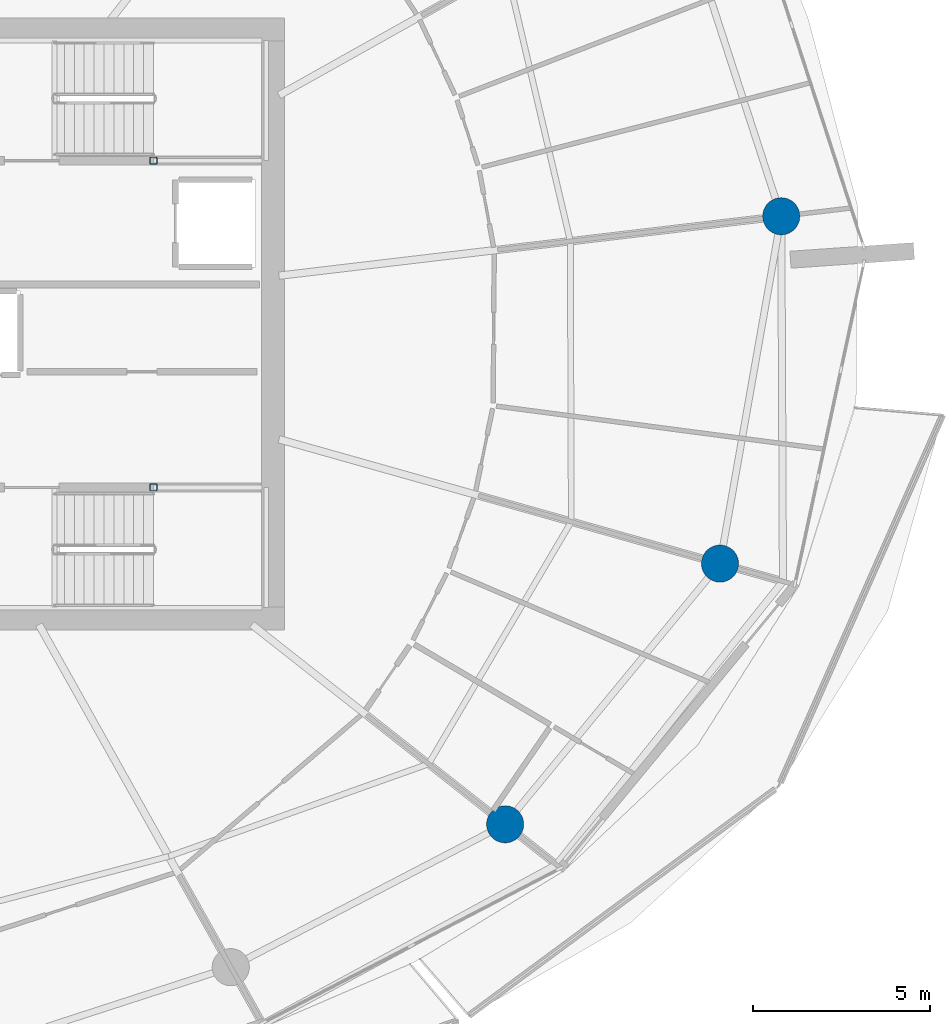
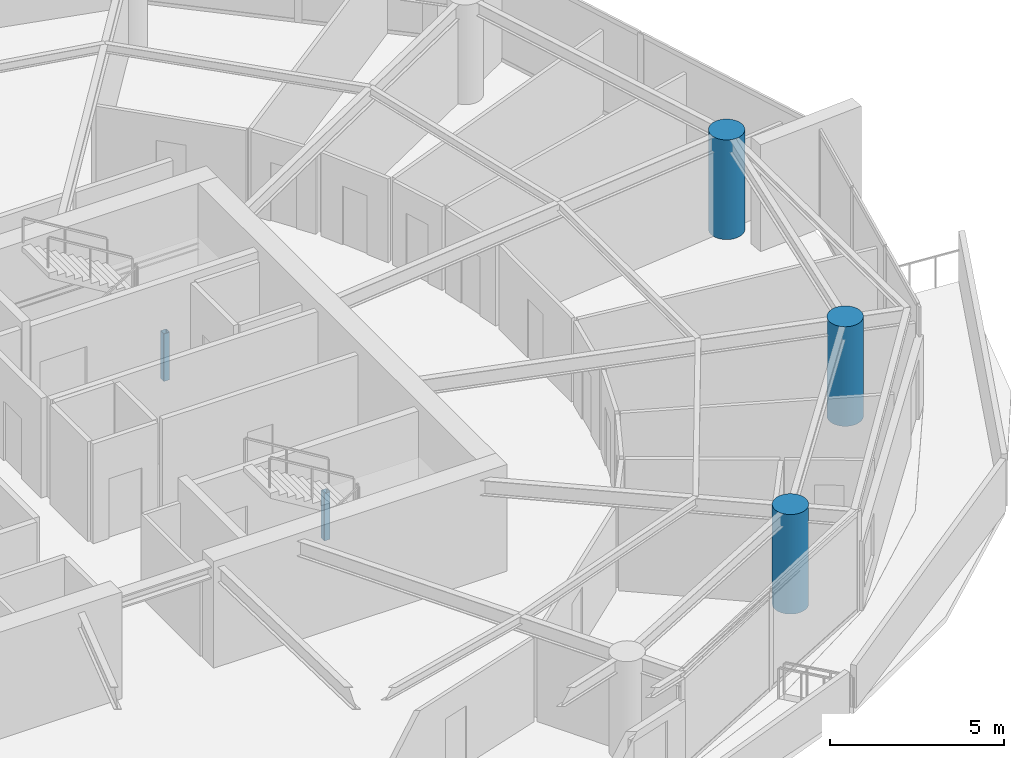
# One storey, part 3 of 20: 5 columns.
"""IFC4 building model written with IfcOpenShell, lengths in metres."""

from ifc_helpers import new_model, si_unit, direction, frame, origin, origin_2d, place, context, subcontext, project, spatial, hollow_rectangle, circle, extrude, material, material_profile, profile_set, type_object, element, save


model = new_model("IFC4")

# Units and contexts
model_context = context("Model", 3, precision=1e-05, world=origin(), true_north=direction((0.0, 1.0)))
body_context = subcontext(model_context, "Body", "Model", "MODEL_VIEW")
ifc_project = project(units=[si_unit("LENGTHUNIT", "METRE"), si_unit("AREAUNIT", "SQUARE_METRE"), si_unit("VOLUMEUNIT", "CUBIC_METRE"), si_unit("PLANEANGLEUNIT", "RADIAN"), si_unit("MASSUNIT", "GRAM", prefix="KILO")], contexts=[model_context])

# Site, building, storey
site_placement = place(None, origin())
site = spatial("IfcSite", under=ifc_project, at=site_placement, CompositionType="ELEMENT")
building_placement = place(site_placement, origin())
building = spatial("IfcBuilding", under=site, at=building_placement, Name="Kazma Halo Residences", CompositionType="ELEMENT")
storey_placement = place(building_placement, frame((0.0, 0.0, 214.050048828125)))
storey = spatial("IfcBuildingStorey", under=building, at=storey_placement, Name="L54", CompositionType="ELEMENT", Elevation=214.050048828125)

# Columns
ifc_material_1 = material(Name="Steel S355", Category="steel")
ifc_material_profile_1 = material_profile(ifc_material_1, hollow_rectangle(XDim=0.199951171875, YDim=0.199951171875, WallThickness=0.010009765625, InnerFilletRadius=0.010009765625, OuterFilletRadius=0.02001953125, at=origin_2d()), Name="SHS200x200x10")
ifc_profile_set_1 = profile_set([ifc_material_profile_1], Name="Steel S355")
column_type_1 = type_object("IfcColumnType", Name="COL-LP-SHS200", PredefinedType="COLUMN", material=ifc_profile_set_1)
for number, where, z_axis, x_axis, name in (
    (1, (56.0, 46.6201171875, 0.0), (0.0, 0.0, 1.0), (1.0, 0.0, 0.0), "L54 ST-02 landing pilaster 1"),
    (2, (56.0, 37.3798828125, 0.0), (0.0, 0.0, 1.0), (1.0, 0.0, 0.0), "L54 ST-03 landing pilaster 1"),
):
    element("IfcColumn", number, at=place(storey_placement, frame(where, z_axis=z_axis, x_axis=x_axis)), inside=storey, type_object=column_type_1, Name=name, PredefinedType="COLUMN", context=body_context, shape_type="SweptSolid", body=[
        extrude(hollow_rectangle(XDim=0.199951171875, YDim=0.199951171875, WallThickness=0.010009765625, InnerFilletRadius=0.010009765625, OuterFilletRadius=0.02001953125, at=origin_2d()), origin(), (0.0, 0.0, 1.0), 1.669921875),
    ])
ifc_material_2 = material(Name="Concrete C80/95", Category="concrete")
ifc_material_profile_2 = material_profile(ifc_material_2, circle(Radius=0.52490234375, at=origin_2d()), Name="CIRC1050")
ifc_profile_set_2 = profile_set([ifc_material_profile_2], Name="Concrete C80/95")
column_type_2 = type_object("IfcColumnType", Name="COL-PERIM-1050", PredefinedType="COLUMN", material=ifc_profile_set_2)
for number, where, z_axis, x_axis, name in (
    (3, (65.944091796875, 27.85400390625, 0.0), (0.0, 0.0, 1.0), (1.0, 0.0, 0.0), "L54 perimeter ring column P14"),
    (4, (72.019775390625, 35.2255859375, 0.0), (0.0, 0.0, 1.0), (1.0, 0.0, 0.0), "L54 perimeter ring column P15"),
    (5, (73.751708984375, 45.0478515625, 0.0), (0.0, 0.0, 1.0), (1.0, 0.0, 0.0), "L54 perimeter ring column P16"),
):
    element("IfcColumn", number, at=place(storey_placement, frame(where, z_axis=z_axis, x_axis=x_axis)), inside=storey, type_object=column_type_2, Name=name, PredefinedType="COLUMN", context=body_context, shape_type="SweptSolid", body=[
        extrude(circle(Radius=0.52490234375, at=origin_2d()), origin(), (0.0, 0.0, 1.0), 3.5),
    ])

save(model, "model.ifc")
